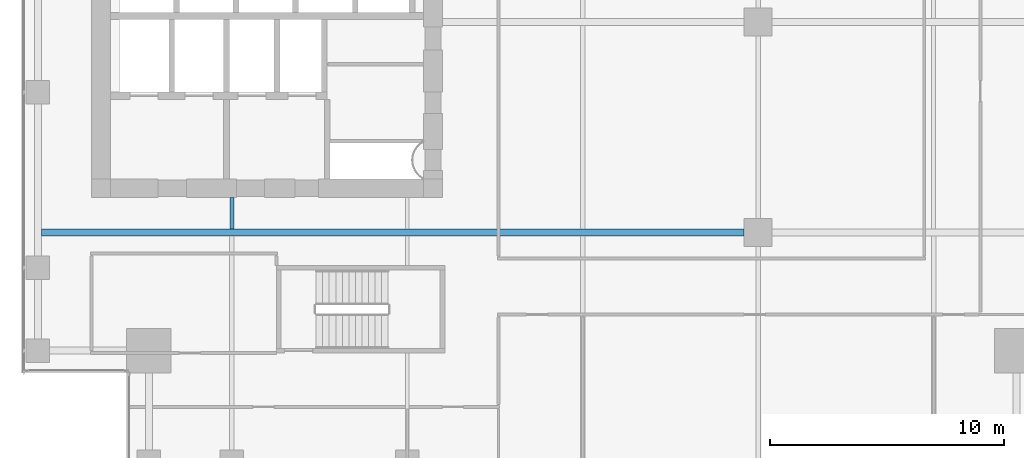
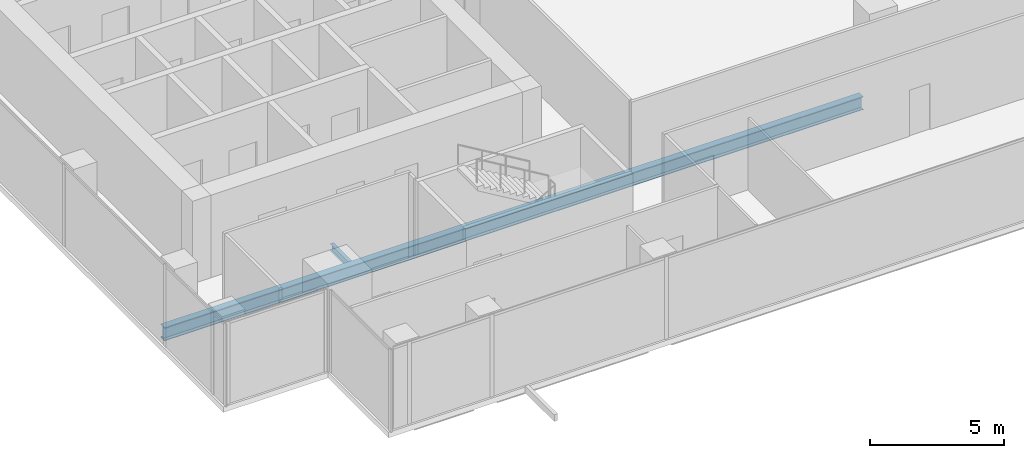
# One storey, part 5 of 40: 2 beams.
"""IFC4 building model written with IfcOpenShell, lengths in metres."""

from ifc_helpers import new_model, si_unit, direction, frame, origin, origin_2d, place, context, subcontext, project, spatial, i_section, extrude, source, transform, mapped, material, material_profile, profile_set, type_object, element, save


model = new_model("IFC4")

# Units and contexts
model_context = context("Model", 3, precision=1e-05, world=origin(), true_north=direction((0.0, 1.0)))
body_context = subcontext(model_context, "Body", "Model", "MODEL_VIEW")
ifc_project = project(units=[si_unit("LENGTHUNIT", "METRE"), si_unit("AREAUNIT", "SQUARE_METRE"), si_unit("VOLUMEUNIT", "CUBIC_METRE"), si_unit("PLANEANGLEUNIT", "RADIAN"), si_unit("MASSUNIT", "GRAM", prefix="KILO")], contexts=[model_context])

# Site, building, storey
site_placement = place(None, origin())
site = spatial("IfcSite", under=ifc_project, at=site_placement, CompositionType="ELEMENT")
building_placement = place(site_placement, origin())
building = spatial("IfcBuilding", under=site, at=building_placement, Name="Khomas Fold Tower", CompositionType="ELEMENT")
storey_placement = place(building_placement, frame((0.0, 0.0, 204.699951171875)))
storey = spatial("IfcBuildingStorey", under=building, at=storey_placement, Name="L45", CompositionType="ELEMENT", Elevation=204.699951171875)

# Beams
ifc_material_1 = material(Name="Steel S355", Category="steel")
ifc_material_profile_1 = material_profile(ifc_material_1, i_section(OverallWidth=0.300048828125, OverallDepth=0.60009765625, WebThickness=0.015380859375, FlangeThickness=0.030029296875, at=origin_2d()), Name="HE 600 B")
ifc_profile_set_1 = profile_set([ifc_material_profile_1], Name="Steel S355")
beam_type_1 = type_object("IfcBeamType", Name="HE 600 B beam GB5", PredefinedType="BEAM", material=ifc_profile_set_1)
shared_shape_1 = source(origin(), body_context, "Body", "SweptSolid", [
    extrude(i_section(OverallWidth=0.300048828125, OverallDepth=0.60009765625, WebThickness=0.015380859375, FlangeThickness=0.030029296875, at=origin_2d()), origin(), (0.0, 0.0, 1.0), 30.0498046875),
])
beam_1_placement = place(storey_placement, frame((3.85009765625, 13.5, -0.550048828125), z_axis=(1.0, 0.0, 0.0), x_axis=(0.0, 1.0, 0.0)))
element("IfcBeam", 1, at=beam_1_placement, inside=storey, type_object=beam_type_1, Name="GB5", PredefinedType="BEAM", context=body_context, shape_type="MappedRepresentation", body=[
    mapped(shared_shape_1, transform((0.0, 0.0, 0.0))),
])
ifc_material_2 = material(Name="Steel S355", Category="steel")
ifc_material_profile_2 = material_profile(ifc_material_2, i_section(OverallWidth=0.159912109375, OverallDepth=0.330078125, WebThickness=0.007568359375, FlangeThickness=0.011474609375, at=origin_2d()), Name="IPE 330")
ifc_profile_set_2 = profile_set([ifc_material_profile_2], Name="Steel S355")
beam_type_2 = type_object("IfcBeamType", Name="IPE 330 beam JB1", PredefinedType="BEAM", material=ifc_profile_set_2)
shared_shape_2 = source(origin(), body_context, "Body", "SweptSolid", [
    extrude(i_section(OverallWidth=0.159912109375, OverallDepth=0.330078125, WebThickness=0.007568359375, FlangeThickness=0.011474609375, at=origin_2d()), origin(), (0.0, 0.0, 1.0), 1.35009765625),
])
beam_2_placement = place(storey_placement, frame((12.0, 13.64990234375, -0.4150390625), z_axis=(0.0, 1.0, 0.0), x_axis=(-1.0, 0.0, 0.0)))
element("IfcBeam", 2, at=beam_2_placement, inside=storey, type_object=beam_type_2, Name="JB1", PredefinedType="BEAM", context=body_context, shape_type="MappedRepresentation", body=[
    mapped(shared_shape_2, transform((0.0, 0.0, 0.0))),
])

save(model, "model.ifc")
